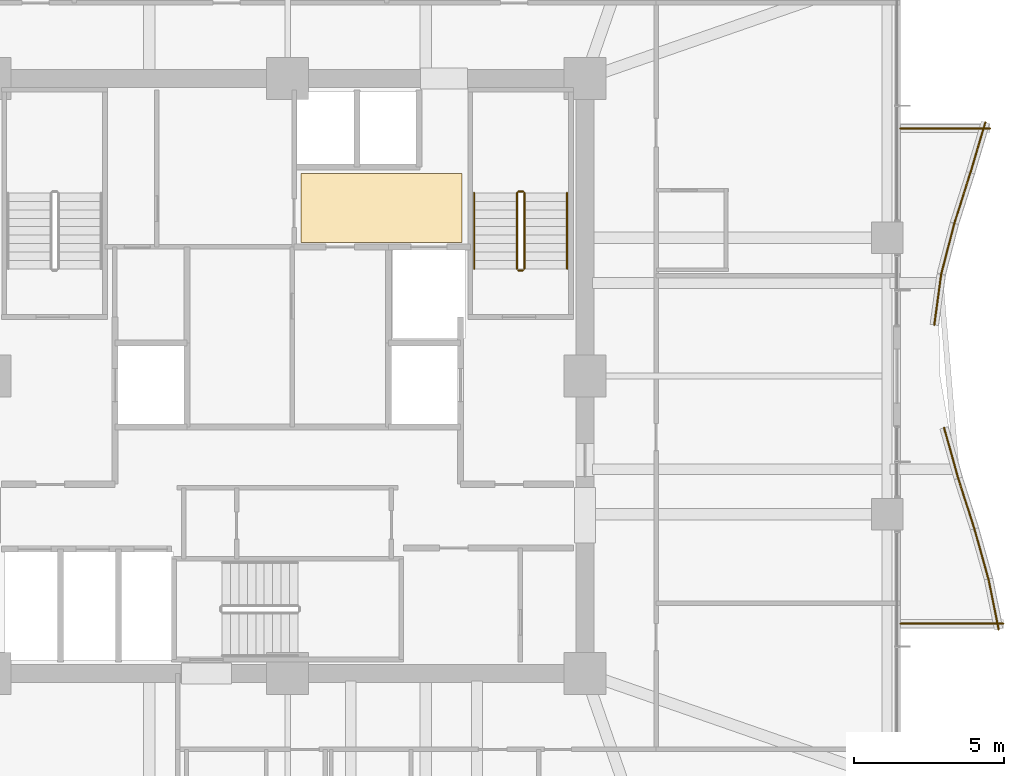
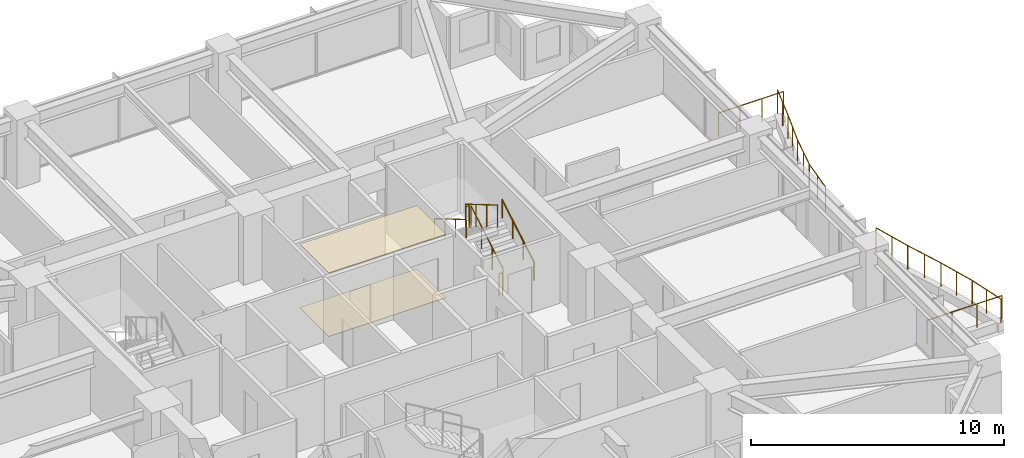
# One storey, part 38 of 38: 16 railings, 2 coverings.
"""IFC4 building model written with IfcOpenShell, lengths in metres."""

from ifc_helpers import new_model, si_unit, direction, frame, origin, origin_2d, place, context, subcontext, project, spatial, polyline, circle, outline, extrude, material, layer, layer_set, type_object, element, save


model = new_model("IFC4")

# Units and contexts
model_context = context("Model", 3, precision=1e-05, world=origin(), true_north=direction((0.0, 1.0)))
body_context = subcontext(model_context, "Body", "Model", "MODEL_VIEW")
ifc_project = project(units=[si_unit("LENGTHUNIT", "METRE"), si_unit("AREAUNIT", "SQUARE_METRE"), si_unit("VOLUMEUNIT", "CUBIC_METRE"), si_unit("PLANEANGLEUNIT", "RADIAN"), si_unit("MASSUNIT", "GRAM", prefix="KILO")], contexts=[model_context])

# Site, building, storey
site_placement = place(None, origin())
site = spatial("IfcSite", under=ifc_project, at=site_placement, CompositionType="ELEMENT")
building_placement = place(site_placement, origin())
building = spatial("IfcBuilding", under=site, at=building_placement, Name="Kolvaren Belvedere", CompositionType="ELEMENT")
storey_placement = place(building_placement, frame((0.0, 0.0, 101.89990234375)))
storey = spatial("IfcBuildingStorey", under=building, at=storey_placement, Name="L29", CompositionType="ELEMENT", Elevation=101.89990234375)

# Coverings
ifc_material_1 = material(Name="Acoustic perforated gypsum board", Category="gypsum")
ifc_layer_1 = layer(ifc_material_1, 0.02490234375)
ifc_layer_set_1 = layer_set([ifc_layer_1], Name="Acoustic perforated gypsum board")
covering_type_1 = type_object("IfcCoveringType", Name="COV-CEIL-GYP", PredefinedType="CEILING", material=ifc_layer_set_1)
covering_1_placement = place(storey_placement, frame((0.0, 0.0, 3.05517578125)))
element("IfcCovering", 1, at=covering_1_placement, inside=storey, type_object=covering_type_1, Name="L29 Lift Lobby Acoustic Baffle Ceiling", PredefinedType="CEILING", context=body_context, shape_type="SweptSolid", body=[
    extrude(outline(polyline([(0.449951171875, 4.449951171875), (5.800048828125, 4.449951171875), (5.800048828125, 6.75), (0.449951171875, 6.75), (0.449951171875, 4.449951171875)])), origin(), (0.0, 0.0, 1.0), 0.02490234375),
])
ifc_material_2 = material(Name="Engineered Pacific white oak", Category="timber")
ifc_layer_2 = layer(ifc_material_2, 0.02001953125)
ifc_layer_set_2 = layer_set([ifc_layer_2], Name="Engineered Pacific white oak")
covering_type_2 = type_object("IfcCoveringType", Name="COV-FLR-OAK", PredefinedType="FLOORING", material=ifc_layer_set_2)
covering_2_placement = place(storey_placement, origin())
element("IfcCovering", 2, at=covering_2_placement, inside=storey, type_object=covering_type_2, Name="L29 Lift Lobby Finish Flooring", PredefinedType="FLOORING", context=body_context, shape_type="SweptSolid", body=[
    extrude(outline(polyline([(0.449951171875, 4.449951171875), (5.800048828125, 4.449951171875), (5.800048828125, 6.75), (0.449951171875, 6.75), (0.449951171875, 4.449951171875)])), origin(), (0.0, 0.0, 1.0), 0.02001953125),
])

# Railings
ifc_material_3 = material(Name="Anodised pale-metal aluminium & laminated glass guard", Category="aluminium")
railing_type_1 = type_object("IfcRailingType", Name="RL-GUARD-1150", PredefinedType="GUARDRAIL", material=ifc_material_3)
railing_1_placement = place(storey_placement, frame((23.6630859375, -8.431884765625, 0.380126953125)))
element("IfcRailing", 3, at=railing_1_placement, inside=storey, type_object=railing_type_1, Name="L29 Exterior Deck Safety Guard BAL-E-1", PredefinedType="GUARDRAIL", context=body_context, shape_type="SweptSolid", body=[
    extrude(circle(Radius=0.02392578125, at=origin_2d()), frame((0.0, 0.0, 1.1259765625), z_axis=(-0.198662427795, 0.980067977123, 0.0), x_axis=(-0.980067977123, -0.198662427795, 0.0)), (0.0, 0.0, 1.0), 1.71435546875),
    extrude(circle(Radius=0.02099609375, at=origin_2d()), origin(), (0.0, 0.0, 1.0), 1.101806640625),
    extrude(circle(Radius=0.02099609375, at=origin_2d()), frame((-0.17041015625, 0.840087890625, 0.0)), (0.0, 0.0, 1.0), 1.101806640625),
    extrude(circle(Radius=0.02099609375, at=origin_2d()), frame((-0.340576171875, 1.68017578125, 0.0)), (0.0, 0.0, 1.0), 1.101806640625),
])
railing_2_placement = place(storey_placement, frame((23.3251953125, -6.76318359375, 0.380126953125)))
element("IfcRailing", 4, at=railing_2_placement, inside=storey, type_object=railing_type_1, Name="L29 Exterior Deck Safety Guard BAL-E-2", PredefinedType="GUARDRAIL", context=body_context, shape_type="SweptSolid", body=[
    extrude(circle(Radius=0.02392578125, at=origin_2d()), frame((0.0, 0.0, 1.1259765625), z_axis=(-0.269801210823, 0.962916043401, 0.0), x_axis=(-0.962916043401, -0.269801210823, 0.0)), (0.0, 0.0, 1.0), 1.74462890625),
    extrude(circle(Radius=0.02099609375, at=origin_2d()), origin(), (0.0, 0.0, 1.0), 1.101806640625),
    extrude(circle(Radius=0.02099609375, at=origin_2d()), frame((-0.2353515625, 0.83984375, 0.0)), (0.0, 0.0, 1.0), 1.101806640625),
    extrude(circle(Radius=0.02099609375, at=origin_2d()), frame((-0.470703125, 1.679931640625, 0.0)), (0.0, 0.0, 1.0), 1.101806640625),
])
railing_3_placement = place(storey_placement, frame((22.856201171875, -5.088623046875, 0.380126953125)))
element("IfcRailing", 5, at=railing_3_placement, inside=storey, type_object=railing_type_1, Name="L29 Exterior Deck Safety Guard BAL-E-3", PredefinedType="GUARDRAIL", context=body_context, shape_type="SweptSolid", body=[
    extrude(circle(Radius=0.02392578125, at=origin_2d()), frame((0.0, 0.0, 1.1259765625), z_axis=(-0.304534629099, 0.952501264923, 0.0), x_axis=(-0.952501264923, -0.304534629099, 0.0)), (0.0, 0.0, 1.0), 1.763671875),
    extrude(circle(Radius=0.02099609375, at=origin_2d()), origin(), (0.0, 0.0, 1.0), 1.101806640625),
    extrude(circle(Radius=0.02099609375, at=origin_2d()), frame((-0.2685546875, 0.83984375, 0.0)), (0.0, 0.0, 1.0), 1.101806640625),
    extrude(circle(Radius=0.02099609375, at=origin_2d()), frame((-0.537109375, 1.679931640625, 0.0)), (0.0, 0.0, 1.0), 1.101806640625),
])
railing_4_placement = place(storey_placement, frame((22.3173828125, -3.4033203125, 0.380126953125)))
element("IfcRailing", 6, at=railing_4_placement, inside=storey, type_object=railing_type_1, Name="L29 Exterior Deck Safety Guard BAL-E-4", PredefinedType="GUARDRAIL", context=body_context, shape_type="SweptSolid", body=[
    extrude(circle(Radius=0.02392578125, at=origin_2d()), frame((0.0, 0.0, 1.1259765625), z_axis=(-0.269764860108, 0.962926227834, 0.0), x_axis=(-0.962926227834, -0.269764860108, 0.0)), (0.0, 0.0, 1.0), 1.744873046875),
    extrude(circle(Radius=0.02099609375, at=origin_2d()), origin(), (0.0, 0.0, 1.0), 1.101806640625),
    extrude(circle(Radius=0.02099609375, at=origin_2d()), frame((-0.2353515625, 0.840087890625, 0.0)), (0.0, 0.0, 1.0), 1.101806640625),
    extrude(circle(Radius=0.02099609375, at=origin_2d()), frame((-0.470703125, 1.68017578125, 0.0)), (0.0, 0.0, 1.0), 1.101806640625),
])
railing_5_placement = place(storey_placement, frame((21.5205078125, 1.70166015625, 0.380126953125)))
element("IfcRailing", 7, at=railing_5_placement, inside=storey, type_object=railing_type_1, Name="L29 Exterior Deck Safety Guard BAL-E-7", PredefinedType="GUARDRAIL", context=body_context, shape_type="SweptSolid", body=[
    extrude(circle(Radius=0.02392578125, at=origin_2d()), frame((0.0, 0.0, 1.1259765625), z_axis=(0.134926850989, 0.990855562068, 0.0), x_axis=(-0.990855562068, 0.134926850989, 0.0)), (0.0, 0.0, 1.0), 1.695556640625),
    extrude(circle(Radius=0.02099609375, at=origin_2d()), origin(), (0.0, 0.0, 1.0), 1.101806640625),
    extrude(circle(Radius=0.02099609375, at=origin_2d()), frame((0.1142578125, 0.83984375, 0.0)), (0.0, 0.0, 1.0), 1.101806640625),
    extrude(circle(Radius=0.02099609375, at=origin_2d()), frame((0.228759765625, 1.679931640625, 0.0)), (0.0, 0.0, 1.0), 1.101806640625),
])
railing_6_placement = place(storey_placement, frame((21.7529296875, 3.400146484375, 0.380126953125)))
element("IfcRailing", 8, at=railing_6_placement, inside=storey, type_object=railing_type_1, Name="L29 Exterior Deck Safety Guard BAL-E-8", PredefinedType="GUARDRAIL", context=body_context, shape_type="SweptSolid", body=[
    extrude(circle(Radius=0.02392578125, at=origin_2d()), frame((0.0, 0.0, 1.1259765625), z_axis=(0.250439664624, 0.968132209145, 0.0), x_axis=(-0.968132209145, 0.250439664624, 0.0)), (0.0, 0.0, 1.0), 1.7353515625),
    extrude(circle(Radius=0.02099609375, at=origin_2d()), origin(), (0.0, 0.0, 1.0), 1.101806640625),
    extrude(circle(Radius=0.02099609375, at=origin_2d()), frame((0.21728515625, 0.83984375, 0.0)), (0.0, 0.0, 1.0), 1.101806640625),
    extrude(circle(Radius=0.02099609375, at=origin_2d()), frame((0.4345703125, 1.679931640625, 0.0)), (0.0, 0.0, 1.0), 1.101806640625),
])
railing_7_placement = place(storey_placement, frame((22.18994140625, 5.08837890625, 0.380126953125)))
element("IfcRailing", 9, at=railing_7_placement, inside=storey, type_object=railing_type_1, Name="L29 Exterior Deck Safety Guard BAL-E-9", PredefinedType="GUARDRAIL", context=body_context, shape_type="SweptSolid", body=[
    extrude(circle(Radius=0.02392578125, at=origin_2d()), frame((0.0, 0.0, 1.1259765625), z_axis=(0.302397356111, 0.953181954832, 0.0), x_axis=(-0.953181954832, 0.302397356111, 0.0)), (0.0, 0.0, 1.0), 1.762451171875),
    extrude(circle(Radius=0.02099609375, at=origin_2d()), origin(), (0.0, 0.0, 1.0), 1.101806640625),
    extrude(circle(Radius=0.02099609375, at=origin_2d()), frame((0.2666015625, 0.83984375, 0.0)), (0.0, 0.0, 1.0), 1.101806640625),
    extrude(circle(Radius=0.02099609375, at=origin_2d()), frame((0.532958984375, 1.679931640625, 0.0)), (0.0, 0.0, 1.0), 1.101806640625),
])
railing_8_placement = place(storey_placement, frame((22.721923828125, 6.765625, 0.380126953125)))
element("IfcRailing", 10, at=railing_8_placement, inside=storey, type_object=railing_type_1, Name="L29 Exterior Deck Safety Guard BAL-E-10", PredefinedType="GUARDRAIL", context=body_context, shape_type="SweptSolid", body=[
    extrude(circle(Radius=0.02392578125, at=origin_2d()), frame((0.0, 0.0, 1.1259765625), z_axis=(0.28500831833, 0.958525043221, 0.0), x_axis=(-0.958525043221, 0.28500831833, 0.0)), (0.0, 0.0, 1.0), 1.752685546875),
    extrude(circle(Radius=0.02099609375, at=origin_2d()), origin(), (0.0, 0.0, 1.0), 1.101806640625),
    extrude(circle(Radius=0.02099609375, at=origin_2d()), frame((0.249755859375, 0.83984375, 0.0)), (0.0, 0.0, 1.0), 1.101806640625),
    extrude(circle(Radius=0.02099609375, at=origin_2d()), frame((0.49951171875, 1.679931640625, 0.0)), (0.0, 0.0, 1.0), 1.101806640625),
])
railing_9_placement = place(storey_placement, frame((23.374755859375, 8.239990234375, 0.380126953125)))
element("IfcRailing", 11, at=railing_9_placement, inside=storey, type_object=railing_type_1, Name="L29 Exterior Deck Safety Guard BAL-E-11", PredefinedType="GUARDRAIL", context=body_context, shape_type="SweptSolid", body=[
    extrude(circle(Radius=0.02392578125, at=origin_2d()), frame((0.0, 0.0, 1.1259765625), z_axis=(-1.0, 0.0, 0.0), x_axis=(0.0, -1.0, 0.0)), (0.0, 0.0, 1.0), 2.974853515625),
    extrude(circle(Radius=0.02099609375, at=origin_2d()), origin(), (0.0, 0.0, 1.0), 1.101806640625),
    extrude(circle(Radius=0.02099609375, at=origin_2d()), frame((-0.99169921875, 0.0, 0.0)), (0.0, 0.0, 1.0), 1.101806640625),
    extrude(circle(Radius=0.02099609375, at=origin_2d()), frame((-1.983154296875, 0.0, 0.0)), (0.0, 0.0, 1.0), 1.101806640625),
    extrude(circle(Radius=0.02099609375, at=origin_2d()), frame((-2.974853515625, 0.0, 0.0)), (0.0, 0.0, 1.0), 1.101806640625),
])
railing_10_placement = place(storey_placement, frame((20.39990234375, -8.239990234375, 0.380126953125)))
element("IfcRailing", 12, at=railing_10_placement, inside=storey, type_object=railing_type_1, Name="L29 Exterior Deck Safety Guard BAL-E-22", PredefinedType="GUARDRAIL", context=body_context, shape_type="SweptSolid", body=[
    extrude(circle(Radius=0.02392578125, at=origin_2d()), frame((0.0, 0.0, 1.1259765625), z_axis=(1.0, 0.0, 0.0), x_axis=(0.0, 1.0, 0.0)), (0.0, 0.0, 1.0), 3.420166015625),
    extrude(circle(Radius=0.02099609375, at=origin_2d()), origin(), (0.0, 0.0, 1.0), 1.101806640625),
    extrude(circle(Radius=0.02099609375, at=origin_2d()), frame((1.14013671875, 0.0, 0.0)), (0.0, 0.0, 1.0), 1.101806640625),
    extrude(circle(Radius=0.02099609375, at=origin_2d()), frame((2.280029296875, 0.0, 0.0)), (0.0, 0.0, 1.0), 1.101806640625),
    extrude(circle(Radius=0.02099609375, at=origin_2d()), frame((3.420166015625, 0.0, 0.0)), (0.0, 0.0, 1.0), 1.101806640625),
])
ifc_material_4 = material(Name="Brushed stainless-steel handrail", Category="steel")
railing_type_2 = type_object("IfcRailingType", Name="RL-HANDRAIL-920", PredefinedType="HANDRAIL", material=ifc_material_4)
railing_11_placement = place(storey_placement, frame((9.300048828125, 3.570068359375, 0.1650390625)))
element("IfcRailing", 13, at=railing_11_placement, inside=storey, type_object=railing_type_2, Name="L29 ST-2 stair handrail 1", PredefinedType="HANDRAIL", context=body_context, shape_type="SweptSolid", body=[
    extrude(circle(Radius=0.02392578125, at=origin_2d()), frame((0.0, 0.0, 0.8759765625), z_axis=(0.0, 0.86152411907, 0.507716645641), x_axis=(-1.0, 0.0, 0.0)), (0.0, 0.0, 1.0), 2.925048828125),
    extrude(circle(Radius=0.02099609375, at=origin_2d()), origin(), (0.0, 0.0, 1.0), 0.851806640625),
    extrude(circle(Radius=0.02099609375, at=origin_2d()), frame((0.0, 0.840087890625, 0.4951171875)), (0.0, 0.0, 1.0), 0.851806640625),
    extrude(circle(Radius=0.02099609375, at=origin_2d()), frame((0.0, 1.679931640625, 0.989990234375)), (0.0, 0.0, 1.0), 0.851806640625),
    extrude(circle(Radius=0.02099609375, at=origin_2d()), frame((0.0, 2.52001953125, 1.485107421875)), (0.0, 0.0, 1.0), 0.851806640625),
])
railing_12_placement = place(storey_placement, frame((6.2099609375, 6.090087890625, 1.815185546875)))
element("IfcRailing", 14, at=railing_12_placement, inside=storey, type_object=railing_type_2, Name="L29 ST-2 stair handrail 2", PredefinedType="HANDRAIL", context=body_context, shape_type="SweptSolid", body=[
    extrude(circle(Radius=0.02392578125, at=origin_2d()), frame((0.0, 0.0, 0.8759765625), z_axis=(0.0, -0.861560626758, 0.507654692109), x_axis=(1.0, 0.0, 0.0)), (0.0, 0.0, 1.0), 2.925048828125),
    extrude(circle(Radius=0.02099609375, at=origin_2d()), origin(), (0.0, 0.0, 1.0), 0.851806640625),
    extrude(circle(Radius=0.02099609375, at=origin_2d()), frame((0.0, -0.840087890625, 0.494873046875)), (0.0, 0.0, 1.0), 0.851806640625),
    extrude(circle(Radius=0.02099609375, at=origin_2d()), frame((0.0, -1.679931640625, 0.989990234375)), (0.0, 0.0, 1.0), 0.851806640625),
    extrude(circle(Radius=0.02099609375, at=origin_2d()), frame((0.0, -2.52001953125, 1.48486328125)), (0.0, 0.0, 1.0), 0.851806640625),
])
ifc_material_5 = material(Name="Painted tubular steel stair guard", Category="steel")
railing_type_3 = type_object("IfcRailingType", Name="RL-STGUARD-1100", PredefinedType="GUARDRAIL", material=ifc_material_5)
railing_13_placement = place(storey_placement, frame((7.8798828125, 3.570068359375, 0.1650390625)))
element("IfcRailing", 15, at=railing_13_placement, inside=storey, type_object=railing_type_3, Name="L29 ST-2 stair guard 1", PredefinedType="GUARDRAIL", context=body_context, shape_type="SweptSolid", body=[
    extrude(circle(Radius=0.02392578125, at=origin_2d()), frame((0.0, 0.0, 1.076171875), z_axis=(0.0, 0.86152411907, 0.507716645641), x_axis=(-1.0, 0.0, 0.0)), (0.0, 0.0, 1.0), 2.925048828125),
    extrude(circle(Radius=0.02099609375, at=origin_2d()), origin(), (0.0, 0.0, 1.0), 1.052001953125),
    extrude(circle(Radius=0.02099609375, at=origin_2d()), frame((0.0, 0.840087890625, 0.4951171875)), (0.0, 0.0, 1.0), 1.052001953125),
    extrude(circle(Radius=0.02099609375, at=origin_2d()), frame((0.0, 1.679931640625, 0.989990234375)), (0.0, 0.0, 1.0), 1.052001953125),
    extrude(circle(Radius=0.02099609375, at=origin_2d()), frame((0.0, 2.52001953125, 1.485107421875)), (0.0, 0.0, 1.0), 1.052001953125),
])
railing_14_placement = place(storey_placement, frame((7.830078125, 6.139892578125, 1.650146484375)))
element("IfcRailing", 16, at=railing_14_placement, inside=storey, type_object=railing_type_3, Name="L29 ST-2 stair guard 2", PredefinedType="GUARDRAIL", context=body_context, shape_type="SweptSolid", body=[
    extrude(circle(Radius=0.02392578125, at=origin_2d()), frame((0.0, 0.0, 1.076171875), z_axis=(-1.0, 0.0, 0.0), x_axis=(0.0, -1.0, 0.0)), (0.0, 0.0, 1.0), 0.150146484375),
    extrude(circle(Radius=0.02099609375, at=origin_2d()), origin(), (0.0, 0.0, 1.0), 1.052001953125),
    extrude(circle(Radius=0.02099609375, at=origin_2d()), frame((-0.150146484375, 0.0, 0.0)), (0.0, 0.0, 1.0), 1.052001953125),
])
railing_15_placement = place(storey_placement, frame((7.6298828125, 6.090087890625, 1.815185546875)))
element("IfcRailing", 17, at=railing_15_placement, inside=storey, type_object=railing_type_3, Name="L29 ST-2 stair guard 3", PredefinedType="GUARDRAIL", context=body_context, shape_type="SweptSolid", body=[
    extrude(circle(Radius=0.02392578125, at=origin_2d()), frame((0.0, 0.0, 1.076171875), z_axis=(0.0, -0.861560626758, 0.507654692109), x_axis=(1.0, 0.0, 0.0)), (0.0, 0.0, 1.0), 2.925048828125),
    extrude(circle(Radius=0.02099609375, at=origin_2d()), origin(), (0.0, 0.0, 1.0), 1.052001953125),
    extrude(circle(Radius=0.02099609375, at=origin_2d()), frame((0.0, -0.840087890625, 0.494873046875)), (0.0, 0.0, 1.0), 1.052001953125),
    extrude(circle(Radius=0.02099609375, at=origin_2d()), frame((0.0, -1.679931640625, 0.989990234375)), (0.0, 0.0, 1.0), 1.052001953125),
    extrude(circle(Radius=0.02099609375, at=origin_2d()), frame((0.0, -2.52001953125, 1.48486328125)), (0.0, 0.0, 1.0), 1.052001953125),
])
railing_16_placement = place(storey_placement, frame((7.830078125, 3.52001953125, 0.0)))
element("IfcRailing", 18, at=railing_16_placement, inside=storey, type_object=railing_type_3, Name="L29 ST-2 stair guard 4", PredefinedType="GUARDRAIL", context=body_context, shape_type="SweptSolid", body=[
    extrude(circle(Radius=0.02392578125, at=origin_2d()), frame((0.0, 0.0, 1.076171875), z_axis=(-1.0, 0.0, 0.0), x_axis=(0.0, -1.0, 0.0)), (0.0, 0.0, 1.0), 0.150146484375),
    extrude(circle(Radius=0.02099609375, at=origin_2d()), origin(), (0.0, 0.0, 1.0), 1.052001953125),
    extrude(circle(Radius=0.02099609375, at=origin_2d()), frame((-0.150146484375, 0.0, 0.0)), (0.0, 0.0, 1.0), 1.052001953125),
])

save(model, "model.ifc")
